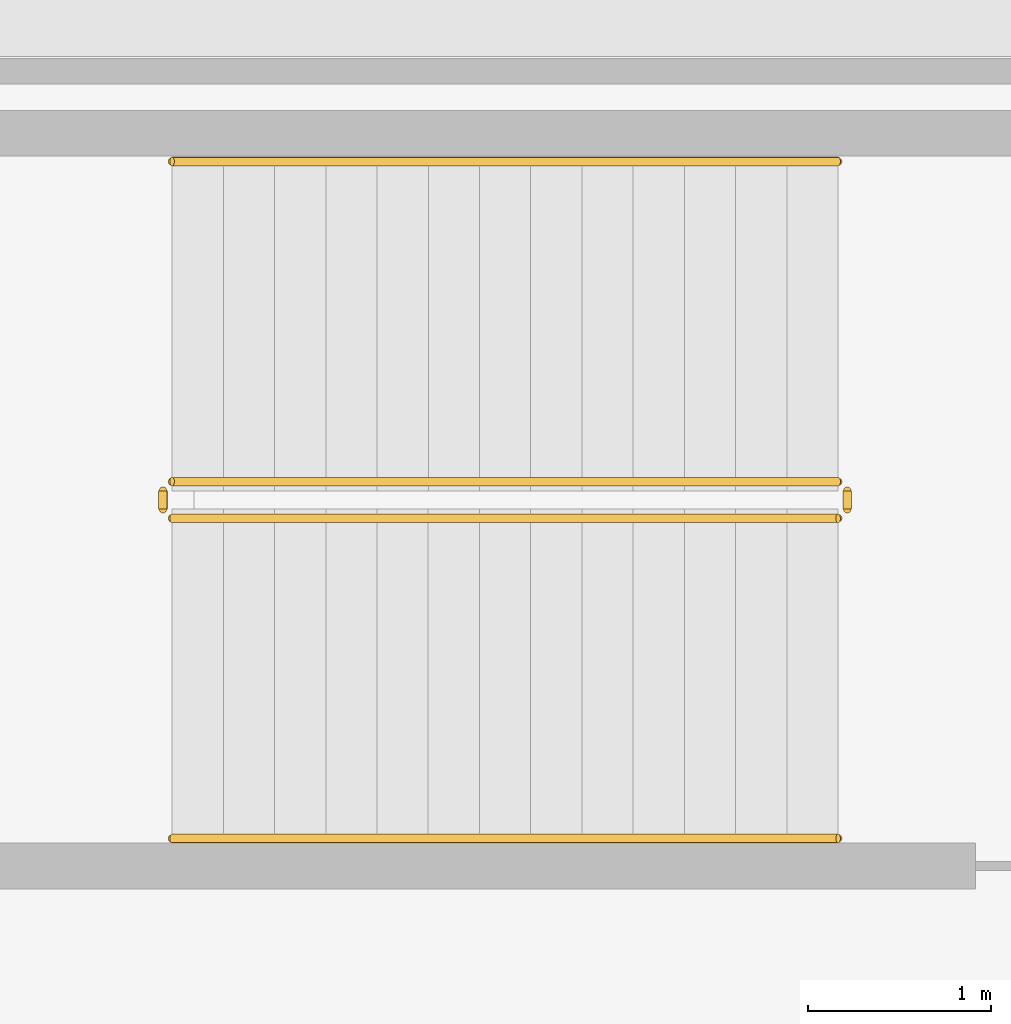
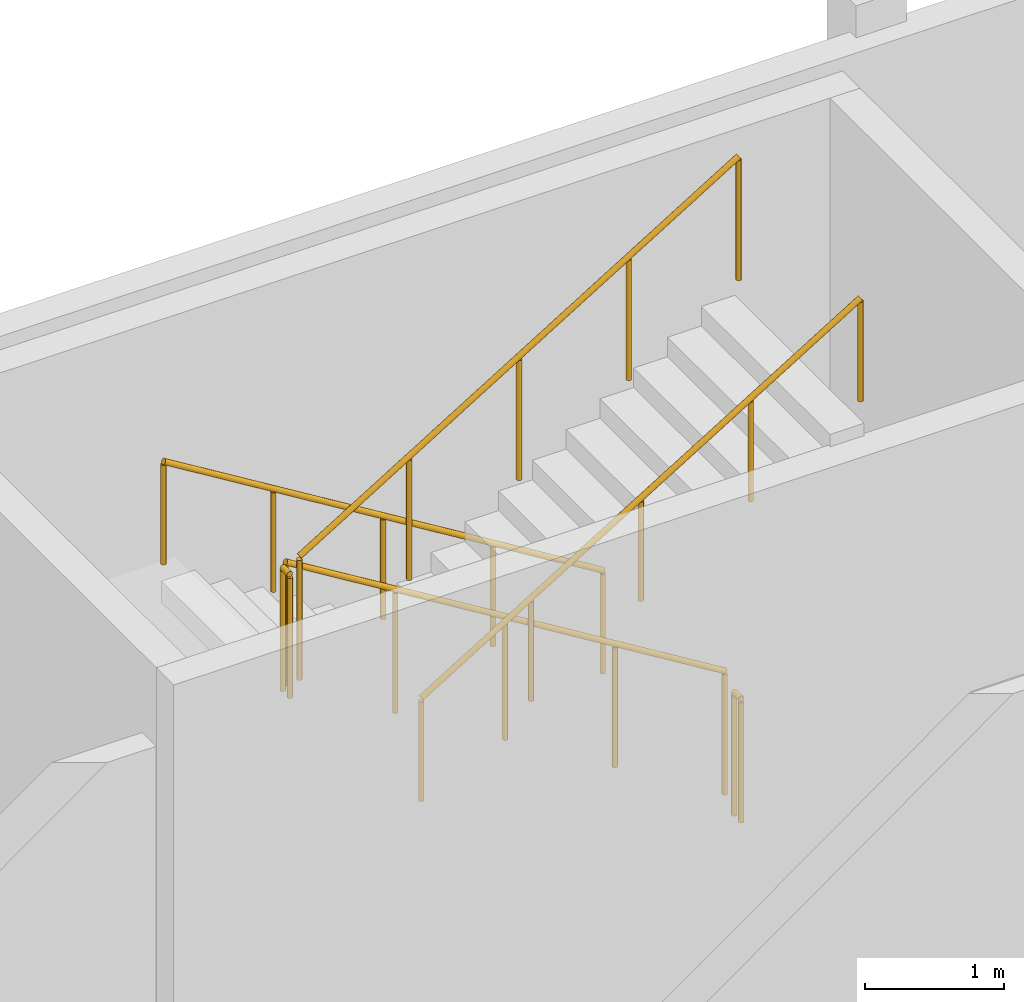
# One storey, part 149 of 151: 6 railings.
"""IFC4 building model written with IfcOpenShell, lengths in metres."""

import ifcopenshell
import ifcopenshell.guid

model = None  # the IFC model being written
_history = None  # IfcOwnerHistory: only IFC2X3 demands one
_inside = {}  # id of a spatial element -> (the spatial element, [elements in it])
_under = {}  # id of a project, library or spatial element -> (it, [spatial elements below it])
_declared = {}  # id of a project -> (the project, [libraries it declares])
_typed = {}  # id of a type object -> (the type object, [elements of that type])
_made_of = {}  # id of a material, layer set ... -> (it, [elements and type objects made of it])


def new_model(schema):
    """Start an empty IFC model of exactly this schema.

    Asked for "IFC4X3", IfcOpenShell would pick the latest addendum, in which some entities
    have other attributes; the version numbers below select the first issue.
    IFC2X3 requires an IfcOwnerHistory on every rooted entity: one is made here for all.
    """
    global model, _history
    if schema == "IFC4X3":
        model = ifcopenshell.file(schema_version=(4, 3, 0, 0))
    else:
        model = ifcopenshell.file(schema=schema)
    _inside.clear()
    _under.clear()
    _declared.clear()
    _typed.clear()
    _made_of.clear()
    _history = None
    if model.schema == "IFC2X3":
        org = make("IfcOrganization", Name="unknown")
        user = make(
            "IfcPersonAndOrganization",
            ThePerson=make("IfcPerson", FamilyName="unknown"),
            TheOrganization=org,
        )
        app = make(
            "IfcApplication",
            ApplicationDeveloper=org,
            Version="unknown",
            ApplicationFullName="unknown",
            ApplicationIdentifier="unknown",
        )
        _history = make(
            "IfcOwnerHistory",
            OwningUser=user,
            OwningApplication=app,
            ChangeAction="ADDED",
            CreationDate=0,
        )
    return model


def make(cls, **values):
    """One entity of the class cls with the attributes given. An attribute that is None is left unset."""
    return model.create_entity(
        cls, **{name: value for name, value in values.items() if value is not None}
    )


def rooted(cls, **values):
    """An entity with a GlobalId (a new one), such as an element, a storey or a relation."""
    return make(cls, GlobalId=ifcopenshell.guid.new(), OwnerHistory=_history, **values)


def si_unit(unit_type, name, prefix=None):
    """IfcSIUnit, for example si_unit("LENGTHUNIT", "METRE", prefix="MILLI")."""
    return make("IfcSIUnit", UnitType=unit_type, Prefix=prefix, Name=name)


def assignment(units):
    """IfcUnitAssignment: the units of a project."""
    return None if units is None else make("IfcUnitAssignment", Units=units)


def point(xyz):
    """IfcCartesianPoint."""
    return None if xyz is None else make("IfcCartesianPoint", Coordinates=xyz)


def direction(xyz):
    """IfcDirection."""
    return None if xyz is None else make("IfcDirection", DirectionRatios=xyz)


def frame(location, z_axis=None, x_axis=None):
    """IfcAxis2Placement3D, a coordinate frame: its origin and axes. An axis left out is left unset."""
    return make(
        "IfcAxis2Placement3D",
        Location=point(location),
        Axis=direction(z_axis),
        RefDirection=direction(x_axis),
    )


def frame_2d(location, x_axis=None):
    """IfcAxis2Placement2D, a coordinate frame in the plane: its origin and x axis."""
    return make(
        "IfcAxis2Placement2D", Location=point(location), RefDirection=direction(x_axis)
    )


def origin():
    """The frame at (0, 0, 0) with its axes left unset."""
    return frame((0.0, 0.0, 0.0))


def origin_2d():
    """The frame at (0, 0) in the plane with its x axis left unset."""
    return frame_2d((0.0, 0.0))


def place(relative_to, where):
    """IfcLocalPlacement: puts the frame where relative to a parent placement (None: the world)."""
    return make(
        "IfcLocalPlacement", PlacementRelTo=relative_to, RelativePlacement=where
    )


def context(
    kind, dimensions, precision=None, world=None, true_north=None, identifier=None
):
    """IfcGeometricRepresentationContext, for example the 3D "Model" context."""
    return make(
        "IfcGeometricRepresentationContext",
        ContextIdentifier=identifier,
        ContextType=kind,
        CoordinateSpaceDimension=dimensions,
        Precision=precision,
        WorldCoordinateSystem=world,
        TrueNorth=true_north,
    )


def subcontext(parent, identifier, kind, view, scale=None):
    """IfcGeometricRepresentationSubContext, for example "Body" below "Model"."""
    return make(
        "IfcGeometricRepresentationSubContext",
        ContextIdentifier=identifier,
        ContextType=kind,
        ParentContext=parent,
        TargetScale=scale,
        TargetView=view,
    )


def project(units=None, contexts=None):
    """IfcProject with its units and contexts."""
    return rooted(
        "IfcProject",
        Name="project",
        RepresentationContexts=contexts,
        UnitsInContext=assignment(units),
    )


def spatial(cls, under=None, at=None, **own):
    """A site, building, storey or space (cls), placed at a placement, below another one or the project."""
    s = rooted(cls, ObjectPlacement=at, **own)
    if under is not None:
        _under.setdefault(under.id(), (under, []))[1].append(s)
    return s


def profile(cls, at=None, kind="AREA", **sizes):
    """A parametric profile (cls). Its sizes go by their IFC names, for example OverallWidth=200.0."""
    return make(cls, ProfileType=kind, Position=at, **sizes)


def circle(**sizes):
    """IfcCircleProfileDef."""
    return profile("IfcCircleProfileDef", **sizes)


def extrude(swept, where, along, depth):
    """IfcExtrudedAreaSolid: the profile swept, set in the frame where, extruded along a direction by depth."""
    return make(
        "IfcExtrudedAreaSolid",
        SweptArea=swept,
        Position=where,
        ExtrudedDirection=direction(along),
        Depth=depth,
    )


def shape(context_of_items, identifier, shape_type, items):
    """IfcShapeRepresentation: the items that make up one representation, for example the "Body"."""
    return make(
        "IfcShapeRepresentation",
        ContextOfItems=context_of_items,
        RepresentationIdentifier=identifier,
        RepresentationType=shape_type,
        Items=items,
    )


def material(Name=None, Category=None):
    """IfcMaterial."""
    return make("IfcMaterial", Name=Name, Category=Category)


def layer(
    of_material, thickness, ventilated=None, Name=None, Category=None, Priority=None
):
    """IfcMaterialLayer: one layer of a wall or slab, of a material (None: an air gap)."""
    return make(
        "IfcMaterialLayer",
        Material=of_material,
        LayerThickness=thickness,
        IsVentilated=ventilated,
        Name=Name,
        Category=Category,
        Priority=Priority,
    )


def layer_set(layers, Name=None):
    """IfcMaterialLayerSet."""
    return make("IfcMaterialLayerSet", MaterialLayers=layers, LayerSetName=Name)


def made_of(thing, what):
    """Note that an element or type object is made of a material, layer set ...; save() writes the relation."""
    if what is not None:
        _made_of.setdefault(what.id(), (what, []))[1].append(thing)
    return thing


def type_object(cls, material=None, **own):
    """A type object (cls), such as IfcWallType, which elements share."""
    return made_of(rooted(cls, **own), material)


def element(
    cls,
    number,
    at=None,
    inside=None,
    cuts=None,
    type_object=None,
    material=None,
    context=None,
    identifier="Body",
    shape_type=None,
    held_by="IfcProductDefinitionShape",
    body=None,
    shapes=None,
    **own,
):
    """One element of the class cls, such as IfcWall. Its Tag is "e" and its number.

    at: its placement. inside: the storey or other place that contains it. cuts: it is an
    opening in that element (IfcRelVoidsElement). A single representation is given by context,
    identifier, shape_type and body (its items); several are given by shapes. held_by: the class
    of the entity that holds the representations. save() writes the other relations.
    """
    e = rooted(cls, Tag="e%d" % number, ObjectPlacement=at, **own)
    if body is not None:
        shapes = [shape(context, identifier, shape_type, body)]
    if shapes is not None:
        e.Representation = make(held_by, Representations=shapes)
    if inside is not None:
        _inside.setdefault(inside.id(), (inside, []))[1].append(e)
    if cuts is not None:
        rooted(
            "IfcRelVoidsElement", RelatingBuildingElement=cuts, RelatedOpeningElement=e
        )
    if type_object is not None:
        _typed.setdefault(type_object.id(), (type_object, []))[1].append(e)
    return made_of(e, material)


def aggregate(whole, parts):
    """IfcRelAggregates: a whole, such as a stair, and the parts it consists of."""
    return rooted("IfcRelAggregates", RelatingObject=whole, RelatedObjects=parts)


def save(model, path):
    """Write the relations noted so far, then the file.

    IfcRelAggregates (storeys below a building ...), IfcRelContainedInSpatialStructure (elements
    in a storey), IfcRelDefinesByType, IfcRelAssociatesMaterial and IfcRelDeclares: one each for
    every whole, place, type object, material and project.
    """
    for whole, parts in _under.values():
        aggregate(whole, parts)
    for where, things in _inside.values():
        rooted(
            "IfcRelContainedInSpatialStructure",
            RelatedElements=things,
            RelatingStructure=where,
        )
    for kind, things in _typed.values():
        rooted("IfcRelDefinesByType", RelatedObjects=things, RelatingType=kind)
    for what, things in _made_of.values():
        rooted("IfcRelAssociatesMaterial", RelatedObjects=things, RelatingMaterial=what)
    for by, libraries in _declared.values():
        rooted("IfcRelDeclares", RelatingContext=by, RelatedDefinitions=libraries)
    model.write(path)


model = new_model("IFC4")

# Units and contexts
model_context = context("Model", 3, precision=1e-05, world=origin(), true_north=direction((0.0, 1.0)))
body_context = subcontext(model_context, "Body", "Model", "MODEL_VIEW")
ifc_project = project(units=[si_unit("LENGTHUNIT", "METRE"), si_unit("AREAUNIT", "SQUARE_METRE"), si_unit("VOLUMEUNIT", "CUBIC_METRE"), si_unit("PLANEANGLEUNIT", "RADIAN"), si_unit("MASSUNIT", "GRAM", prefix="KILO")], contexts=[model_context])

# Site, building, storey
site_placement = place(None, origin())
site = spatial("IfcSite", under=ifc_project, at=site_placement, CompositionType="ELEMENT")
building_placement = place(site_placement, origin())
building = spatial("IfcBuilding", under=site, at=building_placement, Name="Chiffa Square Polytechnic", CompositionType="ELEMENT")
storey_placement = place(building_placement, origin())
storey = spatial("IfcBuildingStorey", under=building, at=storey_placement, Name="L00", CompositionType="ELEMENT", Elevation=0.0)

# Railings
ifc_material = material(Name="Steel S355", Category="steel")
ifc_layer_1 = layer(ifc_material, 0.050048828125, Name="Steel S355")
ifc_layer_set_1 = layer_set([ifc_layer_1], Name="Steel S355")
railing_type_1 = type_object("IfcRailingType", Name="RL-STAIR-GUARD", PredefinedType="GUARDRAIL", material=ifc_layer_set_1)
railing_1_placement = place(storey_placement, frame((163.550048828125, 91.64990234375, 0.17138671875)))
element("IfcRailing", 1, at=railing_1_placement, inside=storey, type_object=railing_type_1, Name="L00 ST-V2B stair guard 1", PredefinedType="GUARDRAIL", context=body_context, shape_type="SweptSolid", body=[
    extrude(circle(Radius=0.02392578125, at=origin_2d()), frame((0.0, 0.0, 1.076171875), z_axis=(-0.852865859571, 0.0, 0.52213008492), x_axis=(0.0, -1.0, 0.0)), (0.0, 0.0, 1.0), 4.26806640625),
    extrude(circle(Radius=0.02099609375, at=origin_2d()), origin(), (0.0, 0.0, 1.0), 1.052001953125),
    extrude(circle(Radius=0.02099609375, at=origin_2d()), frame((-0.91015625, 0.0, 0.55712890625)), (0.0, 0.0, 1.0), 1.052001953125),
    extrude(circle(Radius=0.02099609375, at=origin_2d()), frame((-1.820068359375, 0.0, 1.1142578125)), (0.0, 0.0, 1.0), 1.052001953125),
    extrude(circle(Radius=0.02099609375, at=origin_2d()), frame((-2.72998046875, 0.0, 1.67138671875)), (0.0, 0.0, 1.0), 1.052001953125),
    extrude(circle(Radius=0.02099609375, at=origin_2d()), frame((-3.64013671875, 0.0, 2.228515625)), (0.0, 0.0, 1.0), 1.052001953125),
])
railing_2_placement = place(storey_placement, frame((159.860107421875, 91.60009765625, 2.39990234375)))
element("IfcRailing", 2, at=railing_2_placement, inside=storey, type_object=railing_type_1, Name="L00 ST-V2B stair guard 2", PredefinedType="GUARDRAIL", context=body_context, shape_type="SweptSolid", body=[
    extrude(circle(Radius=0.02392578125, at=origin_2d()), frame((0.0, 0.0, 1.076171875), z_axis=(0.0, -1.0, 0.0), x_axis=(1.0, 0.0, 0.0)), (0.0, 0.0, 1.0), 0.10009765625),
    extrude(circle(Radius=0.02099609375, at=origin_2d()), origin(), (0.0, 0.0, 1.0), 1.052001953125),
    extrude(circle(Radius=0.02099609375, at=origin_2d()), frame((0.0, -0.10009765625, 0.0)), (0.0, 0.0, 1.0), 1.052001953125),
])
railing_3_placement = place(storey_placement, frame((159.909912109375, 91.449951171875, 2.571533203125)))
element("IfcRailing", 3, at=railing_3_placement, inside=storey, type_object=railing_type_1, Name="L00 ST-V2B stair guard 3", PredefinedType="GUARDRAIL", context=body_context, shape_type="SweptSolid", body=[
    extrude(circle(Radius=0.02392578125, at=origin_2d()), frame((0.0, 0.0, 1.076171875), z_axis=(0.852865859571, 0.0, 0.52213008492), x_axis=(0.0, 1.0, 0.0)), (0.0, 0.0, 1.0), 4.26806640625),
    extrude(circle(Radius=0.02099609375, at=origin_2d()), origin(), (0.0, 0.0, 1.0), 1.052001953125),
    extrude(circle(Radius=0.02099609375, at=origin_2d()), frame((0.91015625, 0.0, 0.55712890625)), (0.0, 0.0, 1.0), 1.052001953125),
    extrude(circle(Radius=0.02099609375, at=origin_2d()), frame((1.820068359375, 0.0, 1.1142578125)), (0.0, 0.0, 1.0), 1.052001953125),
    extrude(circle(Radius=0.02099609375, at=origin_2d()), frame((2.72998046875, 0.0, 1.67138671875)), (0.0, 0.0, 1.0), 1.052001953125),
    extrude(circle(Radius=0.02099609375, at=origin_2d()), frame((3.64013671875, 0.0, 2.228515625)), (0.0, 0.0, 1.0), 1.052001953125),
])
railing_4_placement = place(storey_placement, frame((163.60009765625, 91.60009765625, 0.0)))
element("IfcRailing", 4, at=railing_4_placement, inside=storey, type_object=railing_type_1, Name="L00 ST-V2B stair guard 4", PredefinedType="GUARDRAIL", context=body_context, shape_type="SweptSolid", body=[
    extrude(circle(Radius=0.02392578125, at=origin_2d()), frame((0.0, 0.0, 1.076171875), z_axis=(0.0, -1.0, 0.0), x_axis=(1.0, 0.0, 0.0)), (0.0, 0.0, 1.0), 0.10009765625),
    extrude(circle(Radius=0.02099609375, at=origin_2d()), origin(), (0.0, 0.0, 1.0), 1.052001953125),
    extrude(circle(Radius=0.02099609375, at=origin_2d()), frame((0.0, -0.10009765625, 0.0)), (0.0, 0.0, 1.0), 1.052001953125),
])
ifc_layer_2 = layer(ifc_material, 0.044921875, Name="Steel S355")
ifc_layer_set_2 = layer_set([ifc_layer_2], Name="Steel S355")
railing_type_2 = type_object("IfcRailingType", Name="RL-STAIR-HAND", PredefinedType="HANDRAIL", material=ifc_layer_set_2)
railing_5_placement = place(storey_placement, frame((163.550048828125, 93.39990234375, 0.17138671875)))
element("IfcRailing", 5, at=railing_5_placement, inside=storey, type_object=railing_type_2, Name="L00 ST-V2B stair handrail 1", PredefinedType="HANDRAIL", context=body_context, shape_type="SweptSolid", body=[
    extrude(circle(Radius=0.02392578125, at=origin_2d()), frame((0.0, 0.0, 0.89599609375), z_axis=(-0.852865859571, 0.0, 0.52213008492), x_axis=(0.0, -1.0, 0.0)), (0.0, 0.0, 1.0), 4.26806640625),
    extrude(circle(Radius=0.02099609375, at=origin_2d()), origin(), (0.0, 0.0, 1.0), 0.871826171875),
    extrude(circle(Radius=0.02099609375, at=origin_2d()), frame((-0.91015625, 0.0, 0.55712890625)), (0.0, 0.0, 1.0), 0.871826171875),
    extrude(circle(Radius=0.02099609375, at=origin_2d()), frame((-1.820068359375, 0.0, 1.1142578125)), (0.0, 0.0, 1.0), 0.871826171875),
    extrude(circle(Radius=0.02099609375, at=origin_2d()), frame((-2.72998046875, 0.0, 1.67138671875)), (0.0, 0.0, 1.0), 0.871826171875),
    extrude(circle(Radius=0.02099609375, at=origin_2d()), frame((-3.64013671875, 0.0, 2.228515625)), (0.0, 0.0, 1.0), 0.871826171875),
])
railing_6_placement = place(storey_placement, frame((159.909912109375, 89.699951171875, 2.571533203125)))
element("IfcRailing", 6, at=railing_6_placement, inside=storey, type_object=railing_type_2, Name="L00 ST-V2B stair handrail 2", PredefinedType="HANDRAIL", context=body_context, shape_type="SweptSolid", body=[
    extrude(circle(Radius=0.02392578125, at=origin_2d()), frame((0.0, 0.0, 0.89599609375), z_axis=(0.852865859571, 0.0, 0.52213008492), x_axis=(0.0, 1.0, 0.0)), (0.0, 0.0, 1.0), 4.26806640625),
    extrude(circle(Radius=0.02099609375, at=origin_2d()), origin(), (0.0, 0.0, 1.0), 0.871826171875),
    extrude(circle(Radius=0.02099609375, at=origin_2d()), frame((0.91015625, 0.0, 0.55712890625)), (0.0, 0.0, 1.0), 0.871826171875),
    extrude(circle(Radius=0.02099609375, at=origin_2d()), frame((1.820068359375, 0.0, 1.1142578125)), (0.0, 0.0, 1.0), 0.871826171875),
    extrude(circle(Radius=0.02099609375, at=origin_2d()), frame((2.72998046875, 0.0, 1.67138671875)), (0.0, 0.0, 1.0), 0.871826171875),
    extrude(circle(Radius=0.02099609375, at=origin_2d()), frame((3.64013671875, 0.0, 2.228515625)), (0.0, 0.0, 1.0), 0.871826171875),
])

save(model, "model.ifc")
